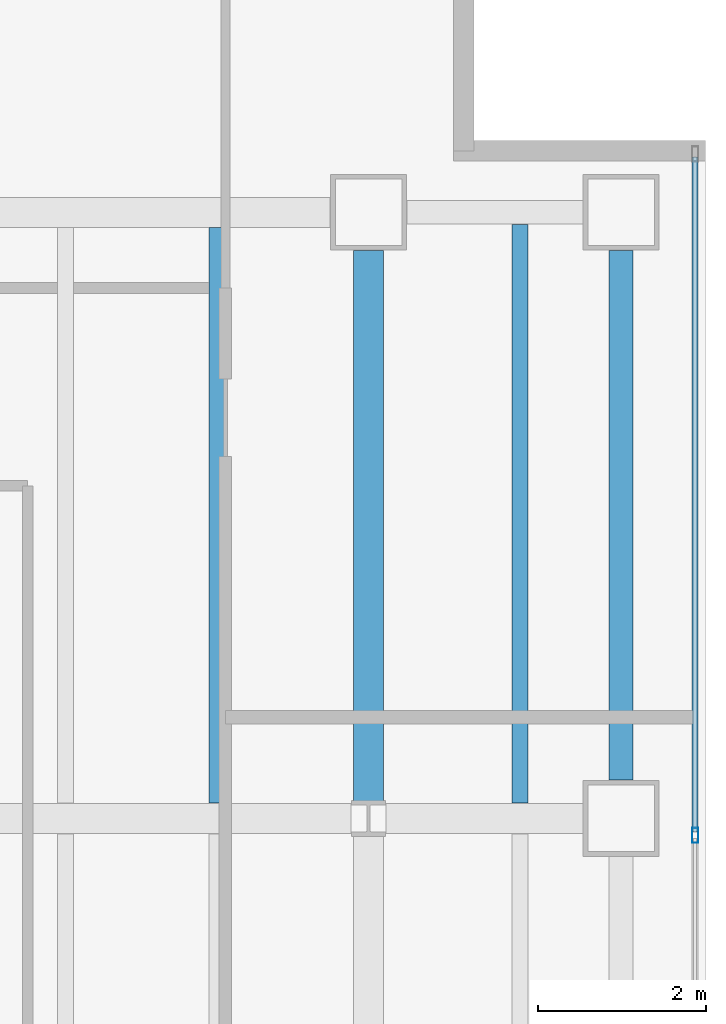
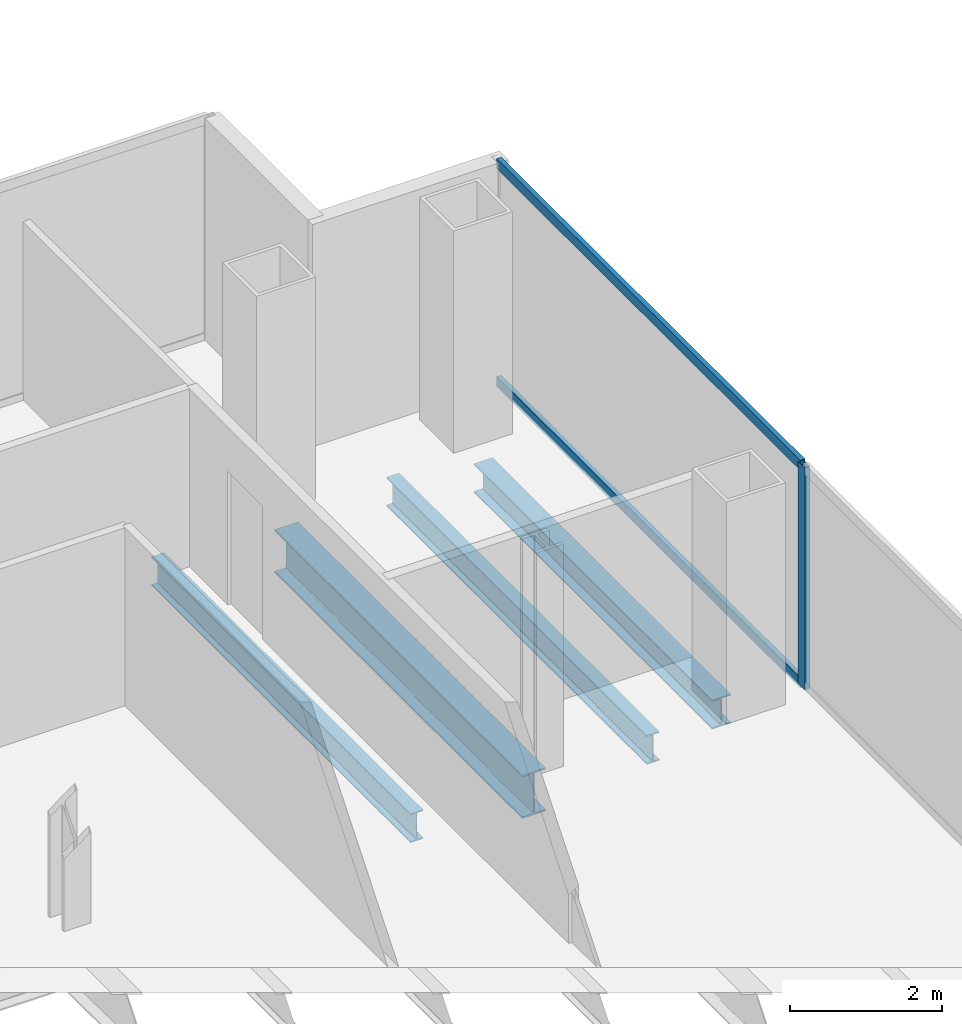
# One storey, part 13 of 23: 4 beams, 3 members, 1 element without a shape of its own.
"""IFC4 building model written with IfcOpenShell, lengths in metres."""

from ifc_helpers import new_model, si_unit, direction, frame, origin, origin_2d, place, context, subcontext, project, spatial, hollow_rectangle, i_section, extrude, material, material_profile, profile_set, type_object, element, aggregate, save


model = new_model("IFC4")

# Units and contexts
model_context = context("Model", 3, precision=1e-05, world=origin(), true_north=direction((0.0, 1.0)))
body_context = subcontext(model_context, "Body", "Model", "MODEL_VIEW")
ifc_project = project(units=[si_unit("LENGTHUNIT", "METRE"), si_unit("AREAUNIT", "SQUARE_METRE"), si_unit("VOLUMEUNIT", "CUBIC_METRE"), si_unit("PLANEANGLEUNIT", "RADIAN"), si_unit("MASSUNIT", "GRAM", prefix="KILO")], contexts=[model_context])

# Site, building, storey
site_placement = place(None, origin())
site = spatial("IfcSite", under=ifc_project, at=site_placement, CompositionType="ELEMENT")
building_placement = place(site_placement, origin())
building = spatial("IfcBuilding", under=site, at=building_placement, Name="Cobrela Telecom Tower", CompositionType="ELEMENT")
storey_placement = place(building_placement, frame((0.0, 0.0, 125.300048828125)))
storey = spatial("IfcBuildingStorey", under=building, at=storey_placement, Name="L31", CompositionType="ELEMENT", Elevation=125.300048828125)

# Beams
ifc_material_1 = material(Name="Steel ASTM A992 Grade 50", Category="steel")
ifc_material_profile_1 = material_profile(ifc_material_1, i_section(OverallWidth=0.35595703125, OverallDepth=0.696044921875, WebThickness=0.015380859375, FlangeThickness=0.024658203125, FilletRadius=0.01806640625, at=origin_2d()), Name="W27X146")
ifc_profile_set_1 = profile_set([ifc_material_profile_1], Name="Steel ASTM A992 Grade 50")
beam_type_1 = type_object("IfcBeamType", Name="BM-GIRD-05", PredefinedType="USERDEFINED", material=ifc_profile_set_1)
beam_1_placement = place(storey_placement, frame((43.199951171875, 14.609619140625, -0.6181640625), z_axis=(0.0, 1.0, 0.0), x_axis=(-1.0, 0.0, 0.0)))
element("IfcBeam", 1, at=beam_1_placement, inside=storey, type_object=beam_type_1, Name="L31 Primary Girder Y54", ObjectType="GIRDER", PredefinedType="USERDEFINED", context=body_context, shape_type="SweptSolid", body=[
    extrude(i_section(OverallWidth=0.35595703125, OverallDepth=0.696044921875, WebThickness=0.015380859375, FlangeThickness=0.024658203125, FilletRadius=0.01806640625, at=origin_2d()), origin(), (0.0, 0.0, 1.0), 6.535400390625),
])
ifc_material_profile_2 = material_profile(ifc_material_1, i_section(OverallWidth=0.193115234375, OverallDepth=0.467041015625, WebThickness=0.011474609375, FlangeThickness=0.01904296875, FilletRadius=0.012939453125, at=origin_2d()), Name="W18X65")
ifc_profile_set_2 = profile_set([ifc_material_profile_2], Name="Steel ASTM A992 Grade 50")
beam_type_2 = type_object("IfcBeamType", Name="BM-JOIST-03", PredefinedType="JOIST", material=ifc_profile_set_2)
beam_2_placement = place(storey_placement, frame((41.39990234375, 14.5830078125, -0.503662109375), z_axis=(0.0, 1.0, 0.0), x_axis=(-1.0, 0.0, 0.0)))
element("IfcBeam", 2, at=beam_2_placement, inside=storey, type_object=beam_type_2, Name="L31 Secondary Composite Floor Beam J38", PredefinedType="JOIST", context=body_context, shape_type="SweptSolid", body=[
    extrude(i_section(OverallWidth=0.193115234375, OverallDepth=0.467041015625, WebThickness=0.011474609375, FlangeThickness=0.01904296875, FilletRadius=0.012939453125, at=origin_2d()), origin(), (0.0, 0.0, 1.0), 6.833984375),
])
beam_3_placement = place(storey_placement, frame((45.0, 14.5830078125, -0.503662109375), z_axis=(0.0, 1.0, 0.0), x_axis=(-1.0, 0.0, 0.0)))
element("IfcBeam", 3, at=beam_3_placement, inside=storey, type_object=beam_type_2, Name="L31 Secondary Composite Floor Beam J40", PredefinedType="JOIST", context=body_context, shape_type="SweptSolid", body=[
    extrude(i_section(OverallWidth=0.193115234375, OverallDepth=0.467041015625, WebThickness=0.011474609375, FlangeThickness=0.01904296875, FilletRadius=0.012939453125, at=origin_2d()), origin(), (0.0, 0.0, 1.0), 6.87109375),
])
ifc_material_profile_3 = material_profile(ifc_material_1, i_section(OverallWidth=0.281982421875, OverallDepth=0.467041015625, WebThickness=0.01220703125, FlangeThickness=0.01953125, FilletRadius=0.012939453125, at=origin_2d()), Name="W18X86")
ifc_profile_set_3 = profile_set([ifc_material_profile_3], Name="Steel ASTM A992 Grade 50")
beam_type_3 = type_object("IfcBeamType", Name="BM-SPAND-04", PredefinedType="SPANDREL", material=ifc_profile_set_3)
beam_4_placement = place(storey_placement, frame((46.199951171875, 14.85498046875, -0.503662109375), z_axis=(0.0, 1.0, 0.0), x_axis=(-1.0, 0.0, 0.0)))
element("IfcBeam", 4, at=beam_4_placement, inside=storey, type_object=beam_type_3, Name="L31 Perimeter Spandrel Y56", PredefinedType="SPANDREL", context=body_context, shape_type="SweptSolid", body=[
    extrude(i_section(OverallWidth=0.281982421875, OverallDepth=0.467041015625, WebThickness=0.01220703125, FlangeThickness=0.01953125, FilletRadius=0.012939453125, at=origin_2d()), origin(), (0.0, 0.0, 1.0), 6.2900390625),
])

# Curtain wall, members
ifc_material_2 = material(Name="Anodized Bronze Aluminium 6063-T6", Category="aluminium")
curtain_wall_type = type_object("IfcCurtainWallType", Name="CW-SYS-TEL", PredefinedType="USERDEFINED", material=ifc_material_2)
curtain_wall_placement = place(storey_placement, origin())
curtain_wall = element("IfcCurtainWall", 5, at=curtain_wall_placement, inside=storey, type_object=curtain_wall_type, Name="L31 Unitised Bronze Curtain Wall 14", ObjectType="UNITISED CURTAIN WALL", PredefinedType="USERDEFINED")
ifc_material_profile_4 = material_profile(ifc_material_2, hollow_rectangle(XDim=0.074951171875, YDim=0.179931640625, WallThickness=0.00390625, at=origin_2d()), Name="ALU 75x180x4")
ifc_profile_set_4 = profile_set([ifc_material_profile_4], Name="Anodized Bronze Aluminium 6063-T6")
member_type_1 = type_object("IfcMemberType", Name="CW-SYS-TEL-MUL", PredefinedType="MULLION", material=ifc_profile_set_4)
member_1_placement = place(storey_placement, frame((47.080078125, 14.199951171875, 0.0), z_axis=(0.0, 0.0, 1.0), x_axis=(1.0, 0.0, 0.0)))
member_1 = element("IfcMember", 6, at=member_1_placement, type_object=member_type_1, Name="CW-TEL mullion 2", PredefinedType="MULLION", context=body_context, shape_type="SweptSolid", body=[
    extrude(hollow_rectangle(XDim=0.074951171875, YDim=0.179931640625, WallThickness=0.00390625, at=origin_2d()), origin(), (0.0, 0.0, 1.0), 3.579833984375),
])
ifc_material_profile_5 = material_profile(ifc_material_2, hollow_rectangle(XDim=0.070068359375, YDim=0.159912109375, WallThickness=0.00390625, at=origin_2d()), Name="ALU 70x160x4")
ifc_profile_set_5 = profile_set([ifc_material_profile_5], Name="Anodized Bronze Aluminium 6063-T6")
member_type_2 = type_object("IfcMemberType", Name="CW-SYS-TEL-TRN", PredefinedType="USERDEFINED", material=ifc_profile_set_5)
member_2_placement = place(storey_placement, frame((47.080078125, 22.2548828125, 0.034912109375), z_axis=(0.0, -1.0, 0.0), x_axis=(1.0, 0.0, 0.0)))
member_2 = element("IfcMember", 7, at=member_2_placement, type_object=member_type_2, Name="CW-TEL transom 1.1", ObjectType="TRANSOM", PredefinedType="USERDEFINED", context=body_context, shape_type="SweptSolid", body=[
    extrude(hollow_rectangle(XDim=0.070068359375, YDim=0.159912109375, WallThickness=0.00390625, at=origin_2d()), origin(), (0.0, 0.0, 1.0), 8.017333984375),
])
member_3_placement = place(storey_placement, frame((47.080078125, 22.2548828125, 3.544921875), z_axis=(0.0, -1.0, 0.0), x_axis=(1.0, 0.0, 0.0)))
member_3 = element("IfcMember", 8, at=member_3_placement, type_object=member_type_2, Name="CW-TEL transom 1.2", ObjectType="TRANSOM", PredefinedType="USERDEFINED", context=body_context, shape_type="SweptSolid", body=[
    extrude(hollow_rectangle(XDim=0.070068359375, YDim=0.159912109375, WallThickness=0.00390625, at=origin_2d()), origin(), (0.0, 0.0, 1.0), 8.017333984375),
])
aggregate(curtain_wall, [member_1, member_2, member_3])

save(model, "model.ifc")
